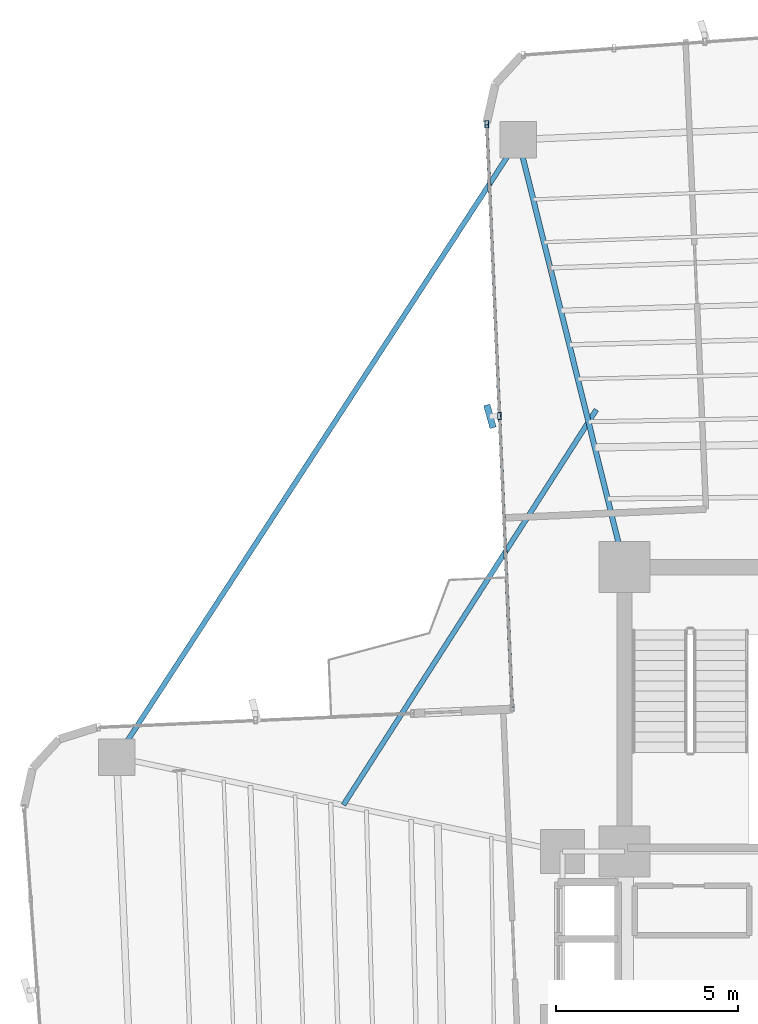
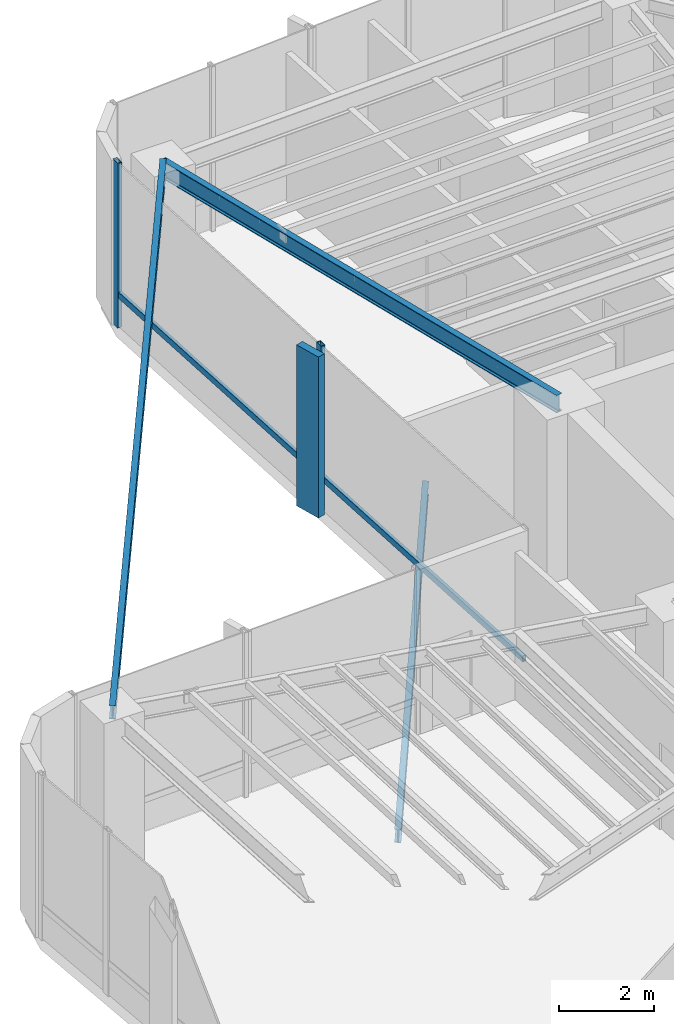
# One storey, part 10 of 21: 5 members, 3 beams, 1 element without a shape of its own.
"""IFC4 building model written with IfcOpenShell, lengths in metres."""

import ifcopenshell
import ifcopenshell.guid

model = None  # the IFC model being written
_history = None  # IfcOwnerHistory: only IFC2X3 demands one
_inside = {}  # id of a spatial element -> (the spatial element, [elements in it])
_under = {}  # id of a project, library or spatial element -> (it, [spatial elements below it])
_declared = {}  # id of a project -> (the project, [libraries it declares])
_typed = {}  # id of a type object -> (the type object, [elements of that type])
_made_of = {}  # id of a material, layer set ... -> (it, [elements and type objects made of it])


def new_model(schema):
    """Start an empty IFC model of exactly this schema.

    Asked for "IFC4X3", IfcOpenShell would pick the latest addendum, in which some entities
    have other attributes; the version numbers below select the first issue.
    IFC2X3 requires an IfcOwnerHistory on every rooted entity: one is made here for all.
    """
    global model, _history
    if schema == "IFC4X3":
        model = ifcopenshell.file(schema_version=(4, 3, 0, 0))
    else:
        model = ifcopenshell.file(schema=schema)
    _inside.clear()
    _under.clear()
    _declared.clear()
    _typed.clear()
    _made_of.clear()
    _history = None
    if model.schema == "IFC2X3":
        org = make("IfcOrganization", Name="unknown")
        user = make(
            "IfcPersonAndOrganization",
            ThePerson=make("IfcPerson", FamilyName="unknown"),
            TheOrganization=org,
        )
        app = make(
            "IfcApplication",
            ApplicationDeveloper=org,
            Version="unknown",
            ApplicationFullName="unknown",
            ApplicationIdentifier="unknown",
        )
        _history = make(
            "IfcOwnerHistory",
            OwningUser=user,
            OwningApplication=app,
            ChangeAction="ADDED",
            CreationDate=0,
        )
    return model


def make(cls, **values):
    """One entity of the class cls with the attributes given. An attribute that is None is left unset."""
    return model.create_entity(
        cls, **{name: value for name, value in values.items() if value is not None}
    )


def rooted(cls, **values):
    """An entity with a GlobalId (a new one), such as an element, a storey or a relation."""
    return make(cls, GlobalId=ifcopenshell.guid.new(), OwnerHistory=_history, **values)


def si_unit(unit_type, name, prefix=None):
    """IfcSIUnit, for example si_unit("LENGTHUNIT", "METRE", prefix="MILLI")."""
    return make("IfcSIUnit", UnitType=unit_type, Prefix=prefix, Name=name)


def assignment(units):
    """IfcUnitAssignment: the units of a project."""
    return None if units is None else make("IfcUnitAssignment", Units=units)


def point(xyz):
    """IfcCartesianPoint."""
    return None if xyz is None else make("IfcCartesianPoint", Coordinates=xyz)


def direction(xyz):
    """IfcDirection."""
    return None if xyz is None else make("IfcDirection", DirectionRatios=xyz)


def frame(location, z_axis=None, x_axis=None):
    """IfcAxis2Placement3D, a coordinate frame: its origin and axes. An axis left out is left unset."""
    return make(
        "IfcAxis2Placement3D",
        Location=point(location),
        Axis=direction(z_axis),
        RefDirection=direction(x_axis),
    )


def frame_2d(location, x_axis=None):
    """IfcAxis2Placement2D, a coordinate frame in the plane: its origin and x axis."""
    return make(
        "IfcAxis2Placement2D", Location=point(location), RefDirection=direction(x_axis)
    )


def origin():
    """The frame at (0, 0, 0) with its axes left unset."""
    return frame((0.0, 0.0, 0.0))


def origin_2d():
    """The frame at (0, 0) in the plane with its x axis left unset."""
    return frame_2d((0.0, 0.0))


def place(relative_to, where):
    """IfcLocalPlacement: puts the frame where relative to a parent placement (None: the world)."""
    return make(
        "IfcLocalPlacement", PlacementRelTo=relative_to, RelativePlacement=where
    )


def context(
    kind, dimensions, precision=None, world=None, true_north=None, identifier=None
):
    """IfcGeometricRepresentationContext, for example the 3D "Model" context."""
    return make(
        "IfcGeometricRepresentationContext",
        ContextIdentifier=identifier,
        ContextType=kind,
        CoordinateSpaceDimension=dimensions,
        Precision=precision,
        WorldCoordinateSystem=world,
        TrueNorth=true_north,
    )


def subcontext(parent, identifier, kind, view, scale=None):
    """IfcGeometricRepresentationSubContext, for example "Body" below "Model"."""
    return make(
        "IfcGeometricRepresentationSubContext",
        ContextIdentifier=identifier,
        ContextType=kind,
        ParentContext=parent,
        TargetScale=scale,
        TargetView=view,
    )


def project(units=None, contexts=None):
    """IfcProject with its units and contexts."""
    return rooted(
        "IfcProject",
        Name="project",
        RepresentationContexts=contexts,
        UnitsInContext=assignment(units),
    )


def spatial(cls, under=None, at=None, **own):
    """A site, building, storey or space (cls), placed at a placement, below another one or the project."""
    s = rooted(cls, ObjectPlacement=at, **own)
    if under is not None:
        _under.setdefault(under.id(), (under, []))[1].append(s)
    return s


def profile(cls, at=None, kind="AREA", **sizes):
    """A parametric profile (cls). Its sizes go by their IFC names, for example OverallWidth=200.0."""
    return make(cls, ProfileType=kind, Position=at, **sizes)


def rectangle(**sizes):
    """IfcRectangleProfileDef."""
    return profile("IfcRectangleProfileDef", **sizes)


def hollow_rectangle(**sizes):
    """IfcRectangleHollowProfileDef."""
    return profile("IfcRectangleHollowProfileDef", **sizes)


def i_section(**sizes):
    """IfcIShapeProfileDef."""
    return profile("IfcIShapeProfileDef", **sizes)


def extrude(swept, where, along, depth):
    """IfcExtrudedAreaSolid: the profile swept, set in the frame where, extruded along a direction by depth."""
    return make(
        "IfcExtrudedAreaSolid",
        SweptArea=swept,
        Position=where,
        ExtrudedDirection=direction(along),
        Depth=depth,
    )


def shape(context_of_items, identifier, shape_type, items):
    """IfcShapeRepresentation: the items that make up one representation, for example the "Body"."""
    return make(
        "IfcShapeRepresentation",
        ContextOfItems=context_of_items,
        RepresentationIdentifier=identifier,
        RepresentationType=shape_type,
        Items=items,
    )


def source(mapping_origin, context_of_items, identifier, shape_type, items):
    """IfcRepresentationMap: a shape defined once, which mapped items show again and again."""
    return make(
        "IfcRepresentationMap",
        MappingOrigin=mapping_origin,
        MappedRepresentation=shape(context_of_items, identifier, shape_type, items),
    )


def transform(
    local_origin,
    x_axis=None,
    y_axis=None,
    z_axis=None,
    scale=None,
    scale2=None,
    scale3=None,
    uniform=True,
):
    """IfcCartesianTransformationOperator3D, or its non-uniform kind. x_axis, y_axis, z_axis: its Axis1, 2, 3."""
    if uniform:
        return make(
            "IfcCartesianTransformationOperator3D",
            Axis1=direction(x_axis),
            Axis2=direction(y_axis),
            LocalOrigin=point(local_origin),
            Scale=scale,
            Axis3=direction(z_axis),
        )
    return make(
        "IfcCartesianTransformationOperator3DnonUniform",
        Axis1=direction(x_axis),
        Axis2=direction(y_axis),
        LocalOrigin=point(local_origin),
        Scale=scale,
        Axis3=direction(z_axis),
        Scale2=scale2,
        Scale3=scale3,
    )


def mapped(mapping_source, mapping_target):
    """IfcMappedItem: shows the shape of a source again, moved by a transform."""
    return make(
        "IfcMappedItem", MappingSource=mapping_source, MappingTarget=mapping_target
    )


def material(Name=None, Category=None):
    """IfcMaterial."""
    return make("IfcMaterial", Name=Name, Category=Category)


def material_profile(
    of_material, cross_section, Name=None, Category=None, Priority=None
):
    """IfcMaterialProfile: a cross section and its material."""
    return make(
        "IfcMaterialProfile",
        Name=Name,
        Material=of_material,
        Profile=cross_section,
        Priority=Priority,
        Category=Category,
    )


def profile_set(profiles, Name=None, composite=None):
    """IfcMaterialProfileSet."""
    return make(
        "IfcMaterialProfileSet",
        Name=Name,
        MaterialProfiles=profiles,
        CompositeProfile=composite,
    )


def made_of(thing, what):
    """Note that an element or type object is made of a material, layer set ...; save() writes the relation."""
    if what is not None:
        _made_of.setdefault(what.id(), (what, []))[1].append(thing)
    return thing


def type_object(cls, material=None, **own):
    """A type object (cls), such as IfcWallType, which elements share."""
    return made_of(rooted(cls, **own), material)


def element(
    cls,
    number,
    at=None,
    inside=None,
    cuts=None,
    type_object=None,
    material=None,
    context=None,
    identifier="Body",
    shape_type=None,
    held_by="IfcProductDefinitionShape",
    body=None,
    shapes=None,
    **own,
):
    """One element of the class cls, such as IfcWall. Its Tag is "e" and its number.

    at: its placement. inside: the storey or other place that contains it. cuts: it is an
    opening in that element (IfcRelVoidsElement). A single representation is given by context,
    identifier, shape_type and body (its items); several are given by shapes. held_by: the class
    of the entity that holds the representations. save() writes the other relations.
    """
    e = rooted(cls, Tag="e%d" % number, ObjectPlacement=at, **own)
    if body is not None:
        shapes = [shape(context, identifier, shape_type, body)]
    if shapes is not None:
        e.Representation = make(held_by, Representations=shapes)
    if inside is not None:
        _inside.setdefault(inside.id(), (inside, []))[1].append(e)
    if cuts is not None:
        rooted(
            "IfcRelVoidsElement", RelatingBuildingElement=cuts, RelatedOpeningElement=e
        )
    if type_object is not None:
        _typed.setdefault(type_object.id(), (type_object, []))[1].append(e)
    return made_of(e, material)


def aggregate(whole, parts):
    """IfcRelAggregates: a whole, such as a stair, and the parts it consists of."""
    return rooted("IfcRelAggregates", RelatingObject=whole, RelatedObjects=parts)


def save(model, path):
    """Write the relations noted so far, then the file.

    IfcRelAggregates (storeys below a building ...), IfcRelContainedInSpatialStructure (elements
    in a storey), IfcRelDefinesByType, IfcRelAssociatesMaterial and IfcRelDeclares: one each for
    every whole, place, type object, material and project.
    """
    for whole, parts in _under.values():
        aggregate(whole, parts)
    for where, things in _inside.values():
        rooted(
            "IfcRelContainedInSpatialStructure",
            RelatedElements=things,
            RelatingStructure=where,
        )
    for kind, things in _typed.values():
        rooted("IfcRelDefinesByType", RelatedObjects=things, RelatingType=kind)
    for what, things in _made_of.values():
        rooted("IfcRelAssociatesMaterial", RelatedObjects=things, RelatingMaterial=what)
    for by, libraries in _declared.values():
        rooted("IfcRelDeclares", RelatingContext=by, RelatedDefinitions=libraries)
    model.write(path)


model = new_model("IFC4")

# Units and contexts
model_context = context("Model", 3, precision=1e-05, world=origin(), true_north=direction((0.0, 1.0)))
body_context = subcontext(model_context, "Body", "Model", "MODEL_VIEW")
ifc_project = project(units=[si_unit("LENGTHUNIT", "METRE"), si_unit("AREAUNIT", "SQUARE_METRE"), si_unit("VOLUMEUNIT", "CUBIC_METRE"), si_unit("PLANEANGLEUNIT", "RADIAN"), si_unit("MASSUNIT", "GRAM", prefix="KILO")], contexts=[model_context])

# Site, building, storey
site_placement = place(None, origin())
site = spatial("IfcSite", under=ifc_project, at=site_placement, CompositionType="ELEMENT")
building_placement = place(site_placement, origin())
building = spatial("IfcBuilding", under=site, at=building_placement, Name="Sahyath Konkavel Grand Hotel", CompositionType="ELEMENT")
storey_placement = place(building_placement, frame((0.0, 0.0, 79.0)))
storey = spatial("IfcBuildingStorey", under=building, at=storey_placement, Name="L21", CompositionType="ELEMENT", Elevation=79.0)

# Beams
ifc_material_1 = material(Name="Steel E350", Category="steel")
ifc_material_profile_1 = material_profile(ifc_material_1, i_section(OverallWidth=0.14990234375, OverallDepth=0.449951171875, WebThickness=0.009521484375, FlangeThickness=0.017333984375, FilletRadius=0.014892578125, at=origin_2d()), Name="ISMB 450")
ifc_profile_set_1 = profile_set([ifc_material_profile_1], Name="Steel E350")
beam_type_1 = type_object("IfcBeamType", Name="BM-ISMB450", PredefinedType="BEAM", material=ifc_profile_set_1)
shared_shape_1 = source(origin(), body_context, "Body", "SweptSolid", [
    extrude(i_section(OverallWidth=0.14990234375, OverallDepth=0.449951171875, WebThickness=0.009521484375, FlangeThickness=0.017333984375, FilletRadius=0.014892578125, at=origin_2d()), origin(), (0.0, 0.0, 1.0), 12.084228515625),
])
beam_1_placement = place(storey_placement, frame((-3.800048828125, 10.199951171875, 4.034912109375), z_axis=(-0.241042688481, 0.970514514229, 0.0), x_axis=(-0.970514514229, -0.241042688481, 0.0)))
element("IfcBeam", 1, at=beam_1_placement, inside=storey, type_object=beam_type_1, Name="L21 Cruciform Radial Girder NB", PredefinedType="BEAM", context=body_context, shape_type="MappedRepresentation", body=[
    mapped(shared_shape_1, transform((0.0, 0.0, 0.0), scale=1.0)),
])
ifc_material_profile_2 = material_profile(ifc_material_1, i_section(OverallWidth=0.139892578125, OverallDepth=0.35009765625, WebThickness=0.008056640625, FlangeThickness=0.01416015625, FilletRadius=0.013916015625, at=origin_2d()), Name="ISMB 350")
ifc_profile_set_2 = profile_set([ifc_material_profile_2], Name="Steel E350")
beam_type_2 = type_object("IfcBeamType", Name="BM-ISMB350", PredefinedType="BEAM", material=ifc_profile_set_2)
shared_shape_2 = source(origin(), body_context, "Body", "SweptSolid", [
    extrude(i_section(OverallWidth=0.139892578125, OverallDepth=0.35009765625, WebThickness=0.008056640625, FlangeThickness=0.01416015625, FilletRadius=0.013916015625, at=origin_2d()), origin(), (0.0, 0.0, 1.0), 20.21533203125),
])
beam_2_placement = place(storey_placement, frame((-6.712890625, 21.927978515625, 4.0849609375), z_axis=(-0.545191244931, -0.838311700056, 0.0), x_axis=(0.838311700056, -0.545191244931, 0.0)))
element("IfcBeam", 2, at=beam_2_placement, inside=storey, type_object=beam_type_2, Name="L21 Re-Entrant Tie Beam NW", PredefinedType="BEAM", context=body_context, shape_type="MappedRepresentation", body=[
    mapped(shared_shape_2, transform((0.0, 0.0, 0.0), scale=1.0)),
])

# Curtain wall, members
ifc_material_2 = material(Name="Anodised Bronze Aluminium & Low-E Glazing", Category="aluminium")
curtain_wall_type = type_object("IfcCurtainWallType", Name="CW-SKYLOBBY", PredefinedType="NOTDEFINED", material=ifc_material_2)
curtain_wall_placement = place(storey_placement, origin())
curtain_wall = element("IfcCurtainWall", 3, at=curtain_wall_placement, inside=storey, type_object=curtain_wall_type, Name="L21 Unitised Curtain Wall F15", PredefinedType="NOTDEFINED")
ifc_material_3 = material(Name="Anodised Bronze Aluminium", Category="aluminium")
ifc_material_profile_3 = material_profile(ifc_material_3, hollow_rectangle(XDim=0.10009765625, YDim=0.199951171875, WallThickness=0.008056640625, at=origin_2d()), Name="RHS 200x100x8")
ifc_profile_set_3 = profile_set([ifc_material_profile_3], Name="Anodised Bronze Aluminium")
member_type_1 = type_object("IfcMemberType", Name="CW-MUL-200", PredefinedType="MULLION", material=ifc_profile_set_3)
shared_shape_3 = source(origin(), body_context, "Body", "SweptSolid", [
    extrude(hollow_rectangle(XDim=0.10009765625, YDim=0.199951171875, WallThickness=0.008056640625, at=origin_2d()), origin(), (0.0, 0.0, 1.0), 4.260009765625),
])
member_1_placement = place(storey_placement, frame((-7.582275390625, 22.3505859375, 0.0), z_axis=(0.0, 0.0, 1.0), x_axis=(1.0, 0.0, 0.0)))
member_1 = element("IfcMember", 4, at=member_1_placement, type_object=member_type_1, Name="L21 Curtain Wall Mullion F15-0", PredefinedType="MULLION", context=body_context, shape_type="MappedRepresentation", body=[
    mapped(shared_shape_3, transform((0.0, 0.0, 0.0), scale=1.0)),
])
member_2_placement = place(storey_placement, frame((-7.232666015625, 14.34814453125, 0.0), z_axis=(0.0, 0.0, 1.0), x_axis=(1.0, 0.0, 0.0)))
member_2 = element("IfcMember", 5, at=member_2_placement, type_object=member_type_1, Name="L21 Curtain Wall Mullion F15-1", PredefinedType="MULLION", context=body_context, shape_type="MappedRepresentation", body=[
    mapped(shared_shape_3, transform((0.0, 0.0, 0.0), scale=1.0)),
])

# Beam
ifc_material_profile_4 = material_profile(ifc_material_1, i_section(OverallWidth=0.139892578125, OverallDepth=0.35009765625, WebThickness=0.008056640625, FlangeThickness=0.01416015625, FilletRadius=0.013916015625, at=origin_2d()), Name="ISMB 350")
ifc_profile_set_4 = profile_set([ifc_material_profile_4], Name="Steel E350")
beam_type_3 = type_object("IfcBeamType", Name="BM-BALC-CANT", PredefinedType="BEAM", material=ifc_profile_set_4)
shared_shape_4 = source(origin(), body_context, "Body", "SweptSolid", [
    extrude(i_section(OverallWidth=0.139892578125, OverallDepth=0.35009765625, WebThickness=0.008056640625, FlangeThickness=0.01416015625, FilletRadius=0.013916015625, at=origin_2d()), origin(), (0.0, 0.0, 1.0), 12.871826171875),
])
beam_3_placement = place(storey_placement, frame((-4.573974609375, 14.52001953125, -0.4951171875), z_axis=(-0.539003102535, -0.842303778608, 0.0), x_axis=(0.842303778608, -0.539003102535, 0.0)))
element("IfcBeam", 6, at=beam_3_placement, inside=storey, type_object=beam_type_3, Name="L21 Balcony Cantilever Support Beam NW", PredefinedType="BEAM", context=body_context, shape_type="MappedRepresentation", body=[
    mapped(shared_shape_4, transform((0.0, 0.0, 0.0), scale=1.0)),
])

# Member
ifc_material_4 = material(Name="Warm Buff Sandstone Cladding on Concrete C50/60", Category="masonry")
ifc_material_profile_5 = material_profile(ifc_material_4, rectangle(XDim=0.179931640625, YDim=0.64990234375, at=origin_2d()), Name="FIN 180x650")
ifc_profile_set_5 = profile_set([ifc_material_profile_5], Name="Warm Buff Sandstone Cladding on Concrete C50/60")
member_type_2 = type_object("IfcMemberType", Name="FIN-SANDSTONE-650", PredefinedType="MULLION", material=ifc_profile_set_5)
shared_shape_5 = source(origin(), body_context, "Body", "SweptSolid", [
    extrude(rectangle(XDim=0.179931640625, YDim=0.64990234375, at=origin_2d()), origin(), (0.0, 0.0, 1.0), 4.159912109375),
])
member_3_placement = place(storey_placement, frame((-7.492431640625, 14.3369140625, 0.050048828125), z_axis=(0.0, 0.0, 1.0), x_axis=(0.963677080427, 0.267070186767, 0.0)))
member_3 = element("IfcMember", 7, at=member_3_placement, type_object=member_type_2, Name="L21 Sandstone Vertical Solar Fin FIN F15-1", PredefinedType="MULLION", context=body_context, shape_type="MappedRepresentation", body=[
    mapped(shared_shape_5, transform((0.0, 0.0, 0.0), scale=1.0)),
])

ifc_material_profile_6 = material_profile(ifc_material_3, hollow_rectangle(XDim=0.080078125, YDim=0.159912109375, WallThickness=0.006103515625, at=origin_2d()), Name="RHS 160x80x6")
ifc_profile_set_6 = profile_set([ifc_material_profile_6], Name="Anodised Bronze Aluminium")
member_type_3 = type_object("IfcMemberType", Name="CW-TRN-160", PredefinedType="USERDEFINED", material=ifc_profile_set_6)
shared_shape_6 = source(origin(), body_context, "Body", "SweptSolid", [
    extrude(hollow_rectangle(XDim=0.080078125, YDim=0.159912109375, WallThickness=0.006103515625, at=origin_2d()), origin(), (0.0, 0.0, 1.0), 8.010009765625),
])
member_4_placement = place(storey_placement, frame((-7.582275390625, 22.3505859375, 0.85009765625), z_axis=(0.043646207089, -0.999047050247, 0.0), x_axis=(0.999047050247, 0.043646207089, 0.0)))
member_4 = element("IfcMember", 8, at=member_4_placement, type_object=member_type_3, Name="L21 Curtain Wall Transom F15-0-spandrel", ObjectType="TRANSOM", PredefinedType="USERDEFINED", context=body_context, shape_type="MappedRepresentation", body=[
    mapped(shared_shape_6, transform((0.0, 0.0, 0.0), scale=1.0)),
])

member_5_placement = place(storey_placement, frame((-7.232666015625, 14.34814453125, 0.85009765625), z_axis=(0.043615785896, -0.999048378819, 0.0), x_axis=(0.999048378819, 0.043615785896, 0.0)))
member_5 = element("IfcMember", 9, at=member_5_placement, type_object=member_type_3, Name="L21 Curtain Wall Transom F15-1-spandrel", ObjectType="TRANSOM", PredefinedType="USERDEFINED", context=body_context, shape_type="MappedRepresentation", body=[
    mapped(shared_shape_6, transform((0.0, 0.0, 0.0), scale=1.0)),
])

aggregate(curtain_wall, [member_1, member_2, member_3, member_4, member_5])

save(model, "model.ifc")
